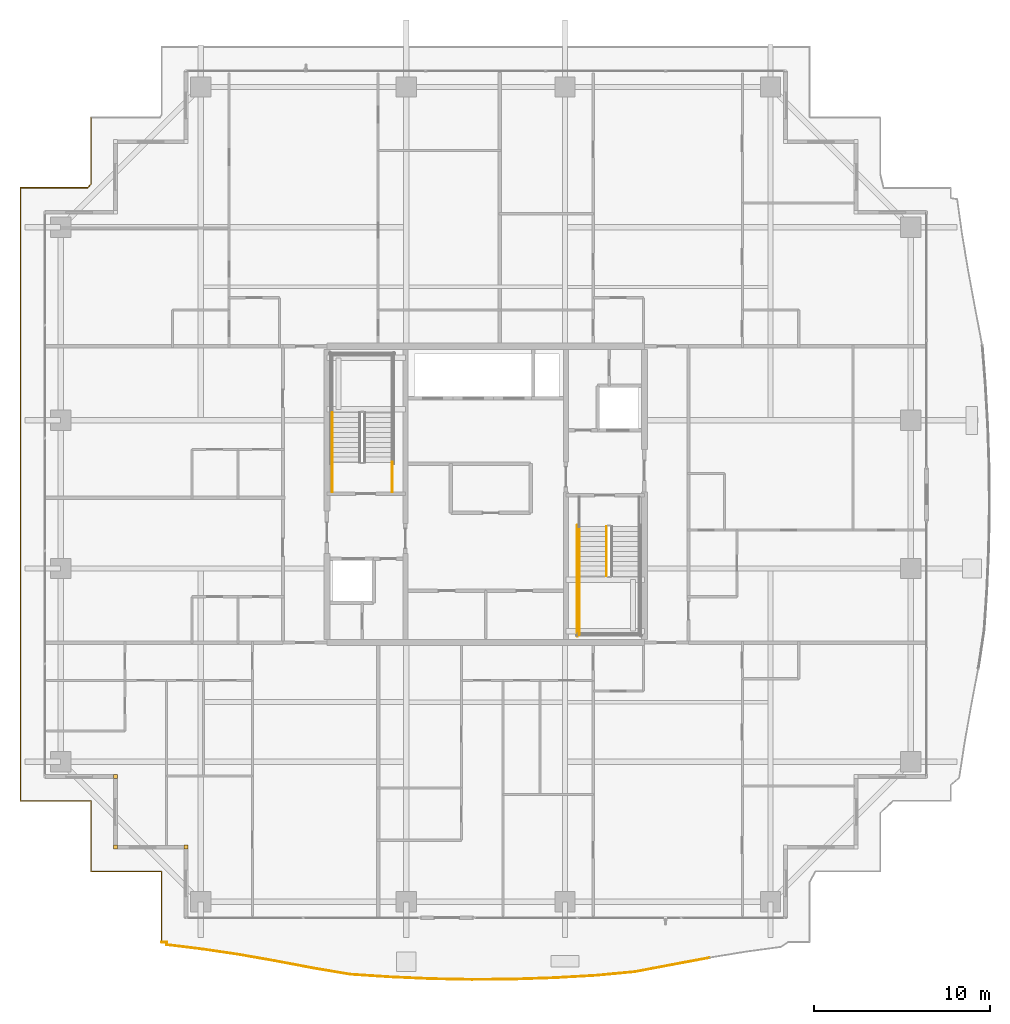
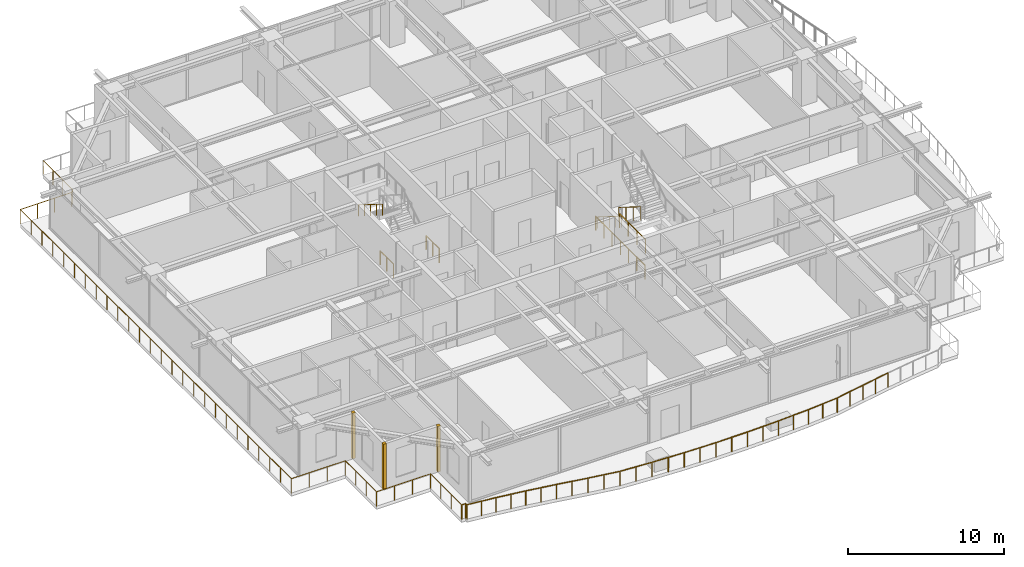
# One storey, part 33 of 37: 10 railings, 3 coverings.
"""IFC4 building model written with IfcOpenShell, lengths in metres."""

from ifc_helpers import new_model, si_unit, direction, frame, origin, origin_2d, place, context, subcontext, project, spatial, rectangle, circle, extrude, source, transform, mapped, material, layer, layer_set, type_object, element, save


model = new_model("IFC4")

# Units and contexts
model_context = context("Model", 3, precision=1e-05, world=origin(), true_north=direction((0.0, 1.0)))
body_context = subcontext(model_context, "Body", "Model", "MODEL_VIEW")
ifc_project = project(units=[si_unit("LENGTHUNIT", "METRE"), si_unit("AREAUNIT", "SQUARE_METRE"), si_unit("VOLUMEUNIT", "CUBIC_METRE"), si_unit("PLANEANGLEUNIT", "RADIAN"), si_unit("MASSUNIT", "GRAM", prefix="KILO")], contexts=[model_context])

# Site, building, storey
site_placement = place(None, origin())
site = spatial("IfcSite", under=ifc_project, at=site_placement, CompositionType="ELEMENT")
building_placement = place(site_placement, origin())
building = spatial("IfcBuilding", under=site, at=building_placement, Name="Serunith Strait Residences", CompositionType="ELEMENT")
storey_placement = place(building_placement, frame((0.0, 0.0, 275.89990234375)))
storey = spatial("IfcBuildingStorey", under=building, at=storey_placement, Name="L69", CompositionType="ELEMENT", Elevation=275.89990234375)

# Railings
ifc_material_1 = material(Name="Stainless Steel & Laminated Glass Balustrade", Category="steel")
railing_type_1 = type_object("IfcRailingType", Name="RLG-BALC-1150", PredefinedType="BALUSTRADE", material=ifc_material_1)
railing_1_placement = place(storey_placement, frame((14.02001953125, -0.179931640625, -0.0498046875)))
element("IfcRailing", 1, at=railing_1_placement, inside=storey, type_object=railing_type_1, Name="L69 Swirling Balcony Perimeter Balustrade 1", PredefinedType="BALUSTRADE", context=body_context, shape_type="SweptSolid", body=[
    extrude(circle(Radius=0.02392578125, at=origin_2d()), frame((0.0, 0.001953125, 1.1259765625), z_axis=(0.0, 1.0, 0.0), x_axis=(-1.0, 0.0, 0.0)), (0.0, 0.0, 1.0), 3.99609375),
    extrude(circle(Radius=0.02392578125, at=origin_2d()), frame((-0.001953125, 4.0, 1.1259765625), z_axis=(-1.0, 0.0, 0.0), x_axis=(0.0, -1.0, 0.0)), (0.0, 0.0, 1.0), 3.99609375),
    extrude(circle(Radius=0.02392578125, at=origin_2d()), frame((-4.0, 4.001953125, 1.1259765625), z_axis=(0.0, 1.0, 0.0), x_axis=(-1.0, 0.0, 0.0)), (0.0, 0.0, 1.0), 3.99609375),
    extrude(circle(Radius=0.02392578125, at=origin_2d()), frame((-4.001953125, 8.0, 1.1259765625), z_axis=(-1.0, 0.0, 0.0), x_axis=(0.0, -1.0, 0.0)), (0.0, 0.0, 1.0), 3.99609375),
    extrude(circle(Radius=0.02392578125, at=origin_2d()), frame((-8.0, 8.001953125, 1.1259765625), z_axis=(0.0, 1.0, 0.0), x_axis=(-1.0, 0.0, 0.0)), (0.0, 0.0, 1.0), 34.756103515625),
    extrude(circle(Radius=0.02392578125, at=origin_2d()), frame((-7.998046875, 42.760009765625, 1.1259765625), z_axis=(1.0, 0.0, 0.0), x_axis=(0.0, 1.0, 0.0)), (0.0, 0.0, 1.0), 3.801025390625),
    extrude(circle(Radius=0.02392578125, at=origin_2d()), frame((-4.19384765625, 42.761474609375, 1.1259765625), z_axis=(0.660199372359, 0.751090399843, 0.0), x_axis=(-0.751090399843, 0.660199372359, 0.0)), (0.0, 0.0, 1.0), 0.29150390625),
    extrude(circle(Radius=0.02392578125, at=origin_2d()), frame((-4.0, 42.98388671875, 1.1259765625), z_axis=(0.0, 1.0, 0.0), x_axis=(-1.0, 0.0, 0.0)), (0.0, 0.0, 1.0), 3.774169921875),
    extrude(circle(Radius=0.02099609375, at=origin_2d()), origin(), (0.0, 0.0, 1.0), 1.099853515625),
    extrude(circle(Radius=0.02099609375, at=origin_2d()), frame((0.0, 1.333251953125, 0.0)), (0.0, 0.0, 1.0), 1.099853515625),
    extrude(circle(Radius=0.02099609375, at=origin_2d()), frame((0.0, 2.666748046875, 0.0)), (0.0, 0.0, 1.0), 1.099853515625),
    extrude(circle(Radius=0.02099609375, at=origin_2d()), frame((0.0, 4.0, 0.0)), (0.0, 0.0, 1.0), 1.099853515625),
    extrude(circle(Radius=0.02099609375, at=origin_2d()), frame((-1.333251953125, 4.0, 0.0)), (0.0, 0.0, 1.0), 1.099853515625),
    extrude(circle(Radius=0.02099609375, at=origin_2d()), frame((-2.666748046875, 4.0, 0.0)), (0.0, 0.0, 1.0), 1.099853515625),
    extrude(circle(Radius=0.02099609375, at=origin_2d()), frame((-4.0, 4.0, 0.0)), (0.0, 0.0, 1.0), 1.099853515625),
    extrude(circle(Radius=0.02099609375, at=origin_2d()), frame((-4.0, 5.333251953125, 0.0)), (0.0, 0.0, 1.0), 1.099853515625),
    extrude(circle(Radius=0.02099609375, at=origin_2d()), frame((-4.0, 6.666748046875, 0.0)), (0.0, 0.0, 1.0), 1.099853515625),
    extrude(circle(Radius=0.02099609375, at=origin_2d()), frame((-4.0, 8.0, 0.0)), (0.0, 0.0, 1.0), 1.099853515625),
    extrude(circle(Radius=0.02099609375, at=origin_2d()), frame((-5.333251953125, 8.0, 0.0)), (0.0, 0.0, 1.0), 1.099853515625),
    extrude(circle(Radius=0.02099609375, at=origin_2d()), frame((-6.666748046875, 8.0, 0.0)), (0.0, 0.0, 1.0), 1.099853515625),
    extrude(circle(Radius=0.02099609375, at=origin_2d()), frame((-8.0, 8.0, 0.0)), (0.0, 0.0, 1.0), 1.099853515625),
    extrude(circle(Radius=0.02099609375, at=origin_2d()), frame((-8.0, 9.390380859375, 0.0)), (0.0, 0.0, 1.0), 1.099853515625),
    extrude(circle(Radius=0.02099609375, at=origin_2d()), frame((-8.0, 10.78076171875, 0.0)), (0.0, 0.0, 1.0), 1.099853515625),
    extrude(circle(Radius=0.02099609375, at=origin_2d()), frame((-8.0, 12.171142578125, 0.0)), (0.0, 0.0, 1.0), 1.099853515625),
    extrude(circle(Radius=0.02099609375, at=origin_2d()), frame((-8.0, 13.5615234375, 0.0)), (0.0, 0.0, 1.0), 1.099853515625),
    extrude(circle(Radius=0.02099609375, at=origin_2d()), frame((-8.0, 14.951904296875, 0.0)), (0.0, 0.0, 1.0), 1.099853515625),
    extrude(circle(Radius=0.02099609375, at=origin_2d()), frame((-8.0, 16.34228515625, 0.0)), (0.0, 0.0, 1.0), 1.099853515625),
    extrude(circle(Radius=0.02099609375, at=origin_2d()), frame((-8.0, 17.73291015625, 0.0)), (0.0, 0.0, 1.0), 1.099853515625),
    extrude(circle(Radius=0.02099609375, at=origin_2d()), frame((-8.0, 19.123291015625, 0.0)), (0.0, 0.0, 1.0), 1.099853515625),
    extrude(circle(Radius=0.02099609375, at=origin_2d()), frame((-8.0, 20.513671875, 0.0)), (0.0, 0.0, 1.0), 1.099853515625),
    extrude(circle(Radius=0.02099609375, at=origin_2d()), frame((-8.0, 21.904052734375, 0.0)), (0.0, 0.0, 1.0), 1.099853515625),
    extrude(circle(Radius=0.02099609375, at=origin_2d()), frame((-8.0, 23.29443359375, 0.0)), (0.0, 0.0, 1.0), 1.099853515625),
    extrude(circle(Radius=0.02099609375, at=origin_2d()), frame((-8.0, 24.684814453125, 0.0)), (0.0, 0.0, 1.0), 1.099853515625),
    extrude(circle(Radius=0.02099609375, at=origin_2d()), frame((-8.0, 26.0751953125, 0.0)), (0.0, 0.0, 1.0), 1.099853515625),
    extrude(circle(Radius=0.02099609375, at=origin_2d()), frame((-8.0, 27.465576171875, 0.0)), (0.0, 0.0, 1.0), 1.099853515625),
    extrude(circle(Radius=0.02099609375, at=origin_2d()), frame((-8.0, 28.85595703125, 0.0)), (0.0, 0.0, 1.0), 1.099853515625),
    extrude(circle(Radius=0.02099609375, at=origin_2d()), frame((-8.0, 30.246337890625, 0.0)), (0.0, 0.0, 1.0), 1.099853515625),
    extrude(circle(Radius=0.02099609375, at=origin_2d()), frame((-8.0, 31.63671875, 0.0)), (0.0, 0.0, 1.0), 1.099853515625),
    extrude(circle(Radius=0.02099609375, at=origin_2d()), frame((-8.0, 33.027099609375, 0.0)), (0.0, 0.0, 1.0), 1.099853515625),
    extrude(circle(Radius=0.02099609375, at=origin_2d()), frame((-8.0, 34.417724609375, 0.0)), (0.0, 0.0, 1.0), 1.099853515625),
    extrude(circle(Radius=0.02099609375, at=origin_2d()), frame((-8.0, 35.80810546875, 0.0)), (0.0, 0.0, 1.0), 1.099853515625),
    extrude(circle(Radius=0.02099609375, at=origin_2d()), frame((-8.0, 37.198486328125, 0.0)), (0.0, 0.0, 1.0), 1.099853515625),
    extrude(circle(Radius=0.02099609375, at=origin_2d()), frame((-8.0, 38.5888671875, 0.0)), (0.0, 0.0, 1.0), 1.099853515625),
    extrude(circle(Radius=0.02099609375, at=origin_2d()), frame((-8.0, 39.979248046875, 0.0)), (0.0, 0.0, 1.0), 1.099853515625),
    extrude(circle(Radius=0.02099609375, at=origin_2d()), frame((-8.0, 41.36962890625, 0.0)), (0.0, 0.0, 1.0), 1.099853515625),
    extrude(circle(Radius=0.02099609375, at=origin_2d()), frame((-8.0, 42.760009765625, 0.0)), (0.0, 0.0, 1.0), 1.099853515625),
    extrude(circle(Radius=0.02099609375, at=origin_2d()), frame((-6.731689453125, 42.760009765625, 0.0)), (0.0, 0.0, 1.0), 1.099853515625),
    extrude(circle(Radius=0.02099609375, at=origin_2d()), frame((-5.46337890625, 42.760009765625, 0.0)), (0.0, 0.0, 1.0), 1.099853515625),
    extrude(circle(Radius=0.02099609375, at=origin_2d()), frame((-4.195068359375, 42.760009765625, 0.0)), (0.0, 0.0, 1.0), 1.099853515625),
    extrude(circle(Radius=0.02099609375, at=origin_2d()), frame((-4.0, 42.98193359375, 0.0)), (0.0, 0.0, 1.0), 1.099853515625),
    extrude(circle(Radius=0.02099609375, at=origin_2d()), frame((-4.0, 44.2412109375, 0.0)), (0.0, 0.0, 1.0), 1.099853515625),
    extrude(circle(Radius=0.02099609375, at=origin_2d()), frame((-4.0, 45.500732421875, 0.0)), (0.0, 0.0, 1.0), 1.099853515625),
    extrude(circle(Radius=0.02099609375, at=origin_2d()), frame((-4.0, 46.760009765625, 0.0)), (0.0, 0.0, 1.0), 1.099853515625),
])
railing_2_placement = place(storey_placement, frame((45.080078125, -1.072509765625, -0.0498046875)))
element("IfcRailing", 2, at=railing_2_placement, inside=storey, type_object=railing_type_1, Name="L69 Swirling Balcony Perimeter Balustrade 7", PredefinedType="BALUSTRADE", context=body_context, shape_type="SweptSolid", body=[
    extrude(circle(Radius=0.02392578125, at=origin_2d()), frame((-0.001953125, -0.000244140625, 1.1259765625), z_axis=(-0.983414783845, -0.181370788485, 0.0), x_axis=(0.181370788485, -0.983414783845, 0.0)), (0.0, 0.0, 1.0), 2.11328125),
    extrude(circle(Radius=0.02392578125, at=origin_2d()), frame((-2.084228515625, -0.384521484375, 1.1259765625), z_axis=(-0.982159596023, -0.188049269982, 0.0), x_axis=(0.188049269982, -0.982159596023, 0.0)), (0.0, 0.0, 1.0), 2.174560546875),
    extrude(circle(Radius=0.02392578125, at=origin_2d()), frame((-4.223876953125, -0.7939453125, 1.1259765625), z_axis=(-0.995732605579, -0.092285308616, 0.0), x_axis=(0.092285308616, -0.995732605579, 0.0)), (0.0, 0.0, 1.0), 2.260498046875),
    extrude(circle(Radius=0.02392578125, at=origin_2d()), frame((-6.478759765625, -1.002685546875, 1.1259765625), z_axis=(-0.99836943809, -0.057082966705, 0.0), x_axis=(0.057082966705, -0.99836943809, 0.0)), (0.0, 0.0, 1.0), 2.30126953125),
    extrude(circle(Radius=0.02392578125, at=origin_2d()), frame((-8.7802734375, -1.13427734375, 1.1259765625), z_axis=(-0.999419248681, -0.034075876607, 0.0), x_axis=(0.034075876607, -0.999419248681, 0.0)), (0.0, 0.0, 1.0), 2.324462890625),
    extrude(circle(Radius=0.02392578125, at=origin_2d()), frame((-11.107421875, -1.213623046875, 1.1259765625), z_axis=(-0.999966848952, -0.008142542459, 0.0), x_axis=(0.008142542459, -0.999966848952, 0.0)), (0.0, 0.0, 1.0), 2.334716796875),
    extrude(circle(Radius=0.02392578125, at=origin_2d()), frame((-13.446044921875, -1.232666015625, 1.1259765625), z_axis=(-0.999824901328, 0.018712741252, 0.0), x_axis=(-0.018712741252, -0.999824901328, 0.0)), (0.0, 0.0, 1.0), 2.331298828125),
    extrude(circle(Radius=0.02392578125, at=origin_2d()), frame((-15.781005859375, -1.18896484375, 1.1259765625), z_axis=(-0.999025914925, 0.04412733063, 0.0), x_axis=(-0.04412733063, -0.999025914925, 0.0)), (0.0, 0.0, 1.0), 2.314208984375),
    extrude(circle(Radius=0.02099609375, at=origin_2d()), origin(), (0.0, 0.0, 1.0), 1.099853515625),
    extrude(circle(Radius=0.02099609375, at=origin_2d()), frame((-1.041015625, -0.19189453125, 0.0)), (0.0, 0.0, 1.0), 1.099853515625),
    extrude(circle(Radius=0.02099609375, at=origin_2d()), frame((-2.082275390625, -0.384033203125, 0.0)), (0.0, 0.0, 1.0), 1.099853515625),
    extrude(circle(Radius=0.02099609375, at=origin_2d()), frame((-3.152099609375, -0.5888671875, 0.0)), (0.0, 0.0, 1.0), 1.099853515625),
    extrude(circle(Radius=0.02099609375, at=origin_2d()), frame((-4.221923828125, -0.793701171875, 0.0)), (0.0, 0.0, 1.0), 1.099853515625),
    extrude(circle(Radius=0.02099609375, at=origin_2d()), frame((-5.349365234375, -0.898193359375, 0.0)), (0.0, 0.0, 1.0), 1.099853515625),
    extrude(circle(Radius=0.02099609375, at=origin_2d()), frame((-6.476806640625, -1.002685546875, 0.0)), (0.0, 0.0, 1.0), 1.099853515625),
    extrude(circle(Radius=0.02099609375, at=origin_2d()), frame((-7.62744140625, -1.068359375, 0.0)), (0.0, 0.0, 1.0), 1.099853515625),
    extrude(circle(Radius=0.02099609375, at=origin_2d()), frame((-8.7783203125, -1.13427734375, 0.0)), (0.0, 0.0, 1.0), 1.099853515625),
    extrude(circle(Radius=0.02099609375, at=origin_2d()), frame((-9.94189453125, -1.173828125, 0.0)), (0.0, 0.0, 1.0), 1.099853515625),
    extrude(circle(Radius=0.02099609375, at=origin_2d()), frame((-11.10546875, -1.213623046875, 0.0)), (0.0, 0.0, 1.0), 1.099853515625),
    extrude(circle(Radius=0.02099609375, at=origin_2d()), frame((-12.27490234375, -1.22314453125, 0.0)), (0.0, 0.0, 1.0), 1.099853515625),
    extrude(circle(Radius=0.02099609375, at=origin_2d()), frame((-13.444091796875, -1.232666015625, 0.0)), (0.0, 0.0, 1.0), 1.099853515625),
    extrude(circle(Radius=0.02099609375, at=origin_2d()), frame((-14.611572265625, -1.2109375, 0.0)), (0.0, 0.0, 1.0), 1.099853515625),
    extrude(circle(Radius=0.02099609375, at=origin_2d()), frame((-15.779052734375, -1.18896484375, 0.0)), (0.0, 0.0, 1.0), 1.099853515625),
    extrude(circle(Radius=0.02099609375, at=origin_2d()), frame((-16.93701171875, -1.1376953125, 0.0)), (0.0, 0.0, 1.0), 1.099853515625),
    extrude(circle(Radius=0.02099609375, at=origin_2d()), frame((-18.094970703125, -1.086669921875, 0.0)), (0.0, 0.0, 1.0), 1.099853515625),
])
railing_3_placement = place(storey_placement, frame((26.985107421875, -2.1591796875, -0.0498046875)))
element("IfcRailing", 3, at=railing_3_placement, inside=storey, type_object=railing_type_1, Name="L69 Swirling Balcony Perimeter Balustrade 8", PredefinedType="BALUSTRADE", context=body_context, shape_type="SweptSolid", body=[
    extrude(circle(Radius=0.02392578125, at=origin_2d()), frame((-0.001953125, 0.000244140625, 1.1259765625), z_axis=(-0.997819465713, 0.066002377567, 0.0), x_axis=(-0.066002377567, -0.997819465713, 0.0)), (0.0, 0.0, 1.0), 2.28564453125),
    extrude(circle(Radius=0.02392578125, at=origin_2d()), frame((-2.28662109375, 0.1513671875, 1.1259765625), z_axis=(-0.985966620009, 0.166942577637, 0.0), x_axis=(-0.166942577637, -0.985966620009, 0.0)), (0.0, 0.0, 1.0), 2.205810546875),
    extrude(circle(Radius=0.02392578125, at=origin_2d()), frame((-4.46533203125, 0.5205078125, 1.1259765625), z_axis=(-0.982355541245, 0.187022968068, 0.0), x_axis=(-0.187022968068, -0.982355541245, 0.0)), (0.0, 0.0, 1.0), 2.135498046875),
    extrude(circle(Radius=0.02392578125, at=origin_2d()), frame((-6.567138671875, 0.92041015625, 1.1259765625), z_axis=(-0.985106835862, 0.171943368406, 0.0), x_axis=(-0.171943368406, -0.985106835862, 0.0)), (0.0, 0.0, 1.0), 2.083251953125),
    extrude(circle(Radius=0.02392578125, at=origin_2d()), frame((-8.623291015625, 1.279296875, 1.1259765625), z_axis=(-0.989059915735, 0.14751434875, 0.0), x_axis=(-0.14751434875, -0.989059915735, 0.0)), (0.0, 0.0, 1.0), 2.04833984375),
    extrude(circle(Radius=0.02392578125, at=origin_2d()), frame((-10.653076171875, 1.58203125, 1.1259765625), z_axis=(-0.992712912393, 0.120503417246, 0.0), x_axis=(-0.120503417246, -0.992712912393, 0.0)), (0.0, 0.0, 1.0), 2.030029296875),
    extrude(circle(Radius=0.02392578125, at=origin_2d()), frame((-12.67041015625, 1.828857421875, 1.1259765625), z_axis=(0.008012563292, 0.9999678989, 0.0), x_axis=(-0.9999678989, 0.008012563292, 0.0)), (0.0, 0.0, 1.0), 0.1484375),
    extrude(circle(Radius=0.02392578125, at=origin_2d()), frame((-12.671142578125, 1.979248046875, 1.1259765625), z_axis=(-1.0, 0.0, 0.0), x_axis=(0.0, -1.0, 0.0)), (0.0, 0.0, 1.0), 0.2919921875),
    extrude(circle(Radius=0.02099609375, at=origin_2d()), origin(), (0.0, 0.0, 1.0), 1.099853515625),
    extrude(circle(Radius=0.02099609375, at=origin_2d()), frame((-1.142333984375, 0.07568359375, 0.0)), (0.0, 0.0, 1.0), 1.099853515625),
    extrude(circle(Radius=0.02099609375, at=origin_2d()), frame((-2.28466796875, 0.151123046875, 0.0)), (0.0, 0.0, 1.0), 1.099853515625),
    extrude(circle(Radius=0.02099609375, at=origin_2d()), frame((-3.3740234375, 0.33544921875, 0.0)), (0.0, 0.0, 1.0), 1.099853515625),
    extrude(circle(Radius=0.02099609375, at=origin_2d()), frame((-4.46337890625, 0.52001953125, 0.0)), (0.0, 0.0, 1.0), 1.099853515625),
    extrude(circle(Radius=0.02099609375, at=origin_2d()), frame((-5.51416015625, 0.72021484375, 0.0)), (0.0, 0.0, 1.0), 1.099853515625),
    extrude(circle(Radius=0.02099609375, at=origin_2d()), frame((-6.565185546875, 0.920166015625, 0.0)), (0.0, 0.0, 1.0), 1.099853515625),
    extrude(circle(Radius=0.02099609375, at=origin_2d()), frame((-7.59326171875, 1.099609375, 0.0)), (0.0, 0.0, 1.0), 1.099853515625),
    extrude(circle(Radius=0.02099609375, at=origin_2d()), frame((-8.621337890625, 1.279052734375, 0.0)), (0.0, 0.0, 1.0), 1.099853515625),
    extrude(circle(Radius=0.02099609375, at=origin_2d()), frame((-9.63623046875, 1.430419921875, 0.0)), (0.0, 0.0, 1.0), 1.099853515625),
    extrude(circle(Radius=0.02099609375, at=origin_2d()), frame((-10.651123046875, 1.581787109375, 0.0)), (0.0, 0.0, 1.0), 1.099853515625),
    extrude(circle(Radius=0.02099609375, at=origin_2d()), frame((-11.66064453125, 1.704345703125, 0.0)), (0.0, 0.0, 1.0), 1.099853515625),
    extrude(circle(Radius=0.02099609375, at=origin_2d()), frame((-12.67041015625, 1.826904296875, 0.0)), (0.0, 0.0, 1.0), 1.099853515625),
    extrude(circle(Radius=0.02099609375, at=origin_2d()), frame((-12.669189453125, 1.979248046875, 0.0)), (0.0, 0.0, 1.0), 1.099853515625),
    extrude(circle(Radius=0.02099609375, at=origin_2d()), frame((-12.965087890625, 1.979248046875, 0.0)), (0.0, 0.0, 1.0), 1.099853515625),
])
ifc_material_2 = material(Name="Brushed stainless steel 316L", Category="steel")
railing_type_2 = type_object("IfcRailingType", Name="RLG-STAIR-GUARD", PredefinedType="BALUSTRADE", material=ifc_material_2)
for number, where, name in (
    (4, (27.10009765625, 25.35009765625, 0.0), "L69 ST-1 stair guard 8"),
    (5, (23.699951171875, 25.35009765625, 0.0), "L69 ST-1 stair guard 9"),
):
    element("IfcRailing", number, at=place(storey_placement, frame(where)), inside=storey, type_object=railing_type_2, Name=name, PredefinedType="BALUSTRADE", context=body_context, shape_type="SweptSolid", body=[
        extrude(circle(Radius=0.02392578125, at=origin_2d()), frame((0.0, 0.001953125, 1.076171875), z_axis=(0.0, 1.0, 0.0), x_axis=(-1.0, 0.0, 0.0)), (0.0, 0.0, 1.0), 1.676025390625),
        extrude(circle(Radius=0.02099609375, at=origin_2d()), origin(), (0.0, 0.0, 1.0), 1.050048828125),
        extrude(circle(Radius=0.02099609375, at=origin_2d()), frame((0.0, 0.83984375, 0.0)), (0.0, 0.0, 1.0), 1.050048828125),
        extrude(circle(Radius=0.02099609375, at=origin_2d()), frame((0.0, 1.679931640625, 0.0)), (0.0, 0.0, 1.0), 1.050048828125),
    ])
railing_4_placement = place(storey_placement, frame((39.25, 23.3701171875, 0.175048828125)))
element("IfcRailing", 6, at=railing_4_placement, inside=storey, type_object=railing_type_2, Name="L69 ST-2 stair guard 1", PredefinedType="BALUSTRADE", context=body_context, shape_type="SweptSolid", body=[
    extrude(circle(Radius=0.02392578125, at=origin_2d()), frame((0.0, -0.001708984375, 1.0771484375), z_axis=(0.0, -0.848002457836, 0.529992293815), x_axis=(1.0, 0.0, 0.0)), (0.0, 0.0, 1.0), 3.2978515625),
    extrude(circle(Radius=0.02099609375, at=origin_2d()), origin(), (0.0, 0.0, 1.0), 1.050048828125),
    extrude(circle(Radius=0.02099609375, at=origin_2d()), frame((0.0, -0.933349609375, 0.583251953125)), (0.0, 0.0, 1.0), 1.050048828125),
    extrude(circle(Radius=0.02099609375, at=origin_2d()), frame((0.0, -1.86669921875, 1.166748046875)), (0.0, 0.0, 1.0), 1.050048828125),
    extrude(circle(Radius=0.02099609375, at=origin_2d()), frame((0.0, -2.800048828125, 1.75)), (0.0, 0.0, 1.0), 1.050048828125),
])
railing_5_placement = place(storey_placement, frame((37.699951171875, 20.570068359375, 1.925048828125)))
element("IfcRailing", 7, at=railing_5_placement, inside=storey, type_object=railing_type_2, Name="L69 ST-2 stair guard 3", PredefinedType="BALUSTRADE", context=body_context, shape_type="SweptSolid", body=[
    extrude(circle(Radius=0.02392578125, at=origin_2d()), frame((0.0, -0.001953125, 1.076171875), z_axis=(0.0, -1.0, 0.0), x_axis=(1.0, 0.0, 0.0)), (0.0, 0.0, 1.0), 3.316162109375),
    extrude(circle(Radius=0.02099609375, at=origin_2d()), origin(), (0.0, 0.0, 1.0), 1.050048828125),
    extrude(circle(Radius=0.02099609375, at=origin_2d()), frame((0.0, -1.106689453125, 0.0)), (0.0, 0.0, 1.0), 1.050048828125),
    extrude(circle(Radius=0.02099609375, at=origin_2d()), frame((0.0, -2.21337890625, 0.0)), (0.0, 0.0, 1.0), 1.050048828125),
    extrude(circle(Radius=0.02099609375, at=origin_2d()), frame((0.0, -3.320068359375, 0.0)), (0.0, 0.0, 1.0), 1.050048828125),
])
railing_6_placement = place(storey_placement, frame((37.60009765625, 23.469970703125, 0.0)))
element("IfcRailing", 8, at=railing_6_placement, inside=storey, type_object=railing_type_2, Name="L69 ST-2 stair guard 10", PredefinedType="BALUSTRADE", context=body_context, shape_type="SweptSolid", body=[
    extrude(circle(Radius=0.02392578125, at=origin_2d()), frame((0.0, -0.001953125, 1.076171875), z_axis=(0.0, -1.0, 0.0), x_axis=(1.0, 0.0, 0.0)), (0.0, 0.0, 1.0), 6.316162109375),
    extrude(circle(Radius=0.02099609375, at=origin_2d()), origin(), (0.0, 0.0, 1.0), 1.050048828125),
    extrude(circle(Radius=0.02099609375, at=origin_2d()), frame((0.0, -1.05322265625, 0.0)), (0.0, 0.0, 1.0), 1.050048828125),
    extrude(circle(Radius=0.02099609375, at=origin_2d()), frame((0.0, -2.106689453125, 0.0)), (0.0, 0.0, 1.0), 1.050048828125),
    extrude(circle(Radius=0.02099609375, at=origin_2d()), frame((0.0, -3.16015625, 0.0)), (0.0, 0.0, 1.0), 1.050048828125),
    extrude(circle(Radius=0.02099609375, at=origin_2d()), frame((0.0, -4.21337890625, 0.0)), (0.0, 0.0, 1.0), 1.050048828125),
    extrude(circle(Radius=0.02099609375, at=origin_2d()), frame((0.0, -5.2666015625, 0.0)), (0.0, 0.0, 1.0), 1.050048828125),
    extrude(circle(Radius=0.02099609375, at=origin_2d()), frame((0.0, -6.320068359375, 0.0)), (0.0, 0.0, 1.0), 1.050048828125),
])
railing_type_3 = type_object("IfcRailingType", Name="RLG-STAIR-HR", PredefinedType="HANDRAIL", material=ifc_material_2)
for number, where, name in (
    (9, (23.699951171875, 29.830078125, 2.10009765625), "L69 ST-1 stair handrail 2"),
    (10, (37.699951171875, 23.3701171875, 0.175048828125), "L69 ST-2 stair handrail 1"),
):
    element("IfcRailing", number, at=place(storey_placement, frame(where)), inside=storey, type_object=railing_type_3, Name=name, PredefinedType="HANDRAIL", context=body_context, shape_type="SweptSolid", body=[
        extrude(circle(Radius=0.02392578125, at=origin_2d()), frame((0.0, -0.001708984375, 0.876953125), z_axis=(0.0, -0.847393994688, 0.530964610654), x_axis=(1.0, 0.0, 0.0)), (0.0, 0.0, 1.0), 3.630859375),
        extrude(circle(Radius=0.02099609375, at=origin_2d()), origin(), (0.0, 0.0, 1.0), 0.849853515625),
        extrude(circle(Radius=0.02099609375, at=origin_2d()), frame((0.0, -0.77001953125, 0.482421875)), (0.0, 0.0, 1.0), 0.849853515625),
        extrude(circle(Radius=0.02099609375, at=origin_2d()), frame((0.0, -1.5400390625, 0.96484375)), (0.0, 0.0, 1.0), 0.849853515625),
        extrude(circle(Radius=0.02099609375, at=origin_2d()), frame((0.0, -2.31005859375, 1.447509765625)), (0.0, 0.0, 1.0), 0.849853515625),
        extrude(circle(Radius=0.02099609375, at=origin_2d()), frame((0.0, -3.080078125, 1.929931640625)), (0.0, 0.0, 1.0), 0.849853515625),
    ])

# Coverings
ifc_material_3 = material(Name="Pale-Champagne Anodised Aluminium", Category="aluminium")
ifc_layer = layer(ifc_material_3, 0.219970703125, Name="Pale-Champagne Anodised Aluminium")
ifc_layer_set = layer_set([ifc_layer], Name="Pale-Champagne Anodised Aluminium")
covering_type = type_object("IfcCoveringType", Name="COV-CORN-TRIM", PredefinedType="CLADDING", material=ifc_layer_set)
shared_shape = source(origin(), body_context, "Body", "SweptSolid", [
    extrude(rectangle(XDim=0.221923828125, YDim=0.221923828125, at=origin_2d()), origin(), (0.0, 0.0, 1.0), 3.574951171875),
])
for number, where, z_axis, x_axis, name in (
    (11, (11.39990234375, 9.199951171875, 0.0), (0.0, 0.0, 1.0), (1.0, 0.0, 0.0), "L69 Girih Serrated Corner Trim Post 17"),
    (12, (11.39990234375, 5.199951171875, 0.0), (0.0, 0.0, 1.0), (1.0, 0.0, 0.0), "L69 Girih Serrated Corner Trim Post 18"),
    (13, (15.39990234375, 5.199951171875, 0.0), (0.0, 0.0, 1.0), (1.0, 0.0, 0.0), "L69 Girih Serrated Corner Trim Post 19"),
):
    element("IfcCovering", number, at=place(storey_placement, frame(where, z_axis=z_axis, x_axis=x_axis)), inside=storey, type_object=covering_type, Name=name, PredefinedType="CLADDING", context=body_context, shape_type="MappedRepresentation", body=[
        mapped(shared_shape, transform((0.0, 0.0, 0.0), scale=1.0)),
    ])

save(model, "model.ifc")
